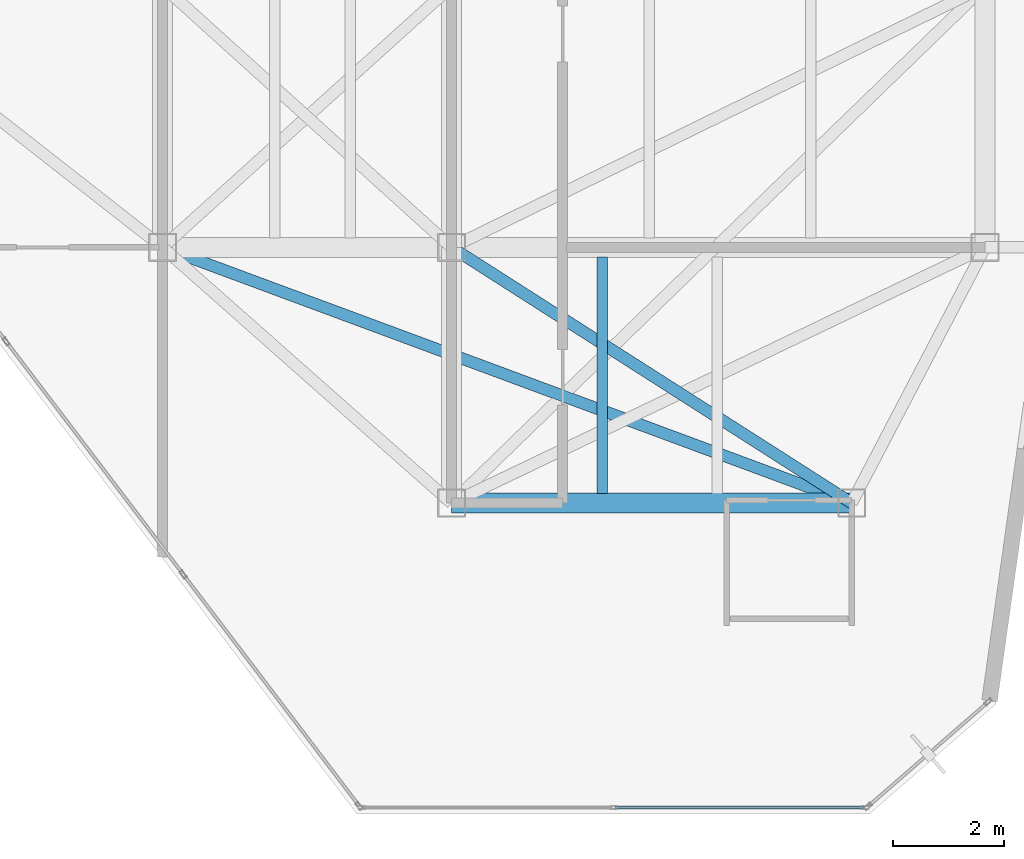
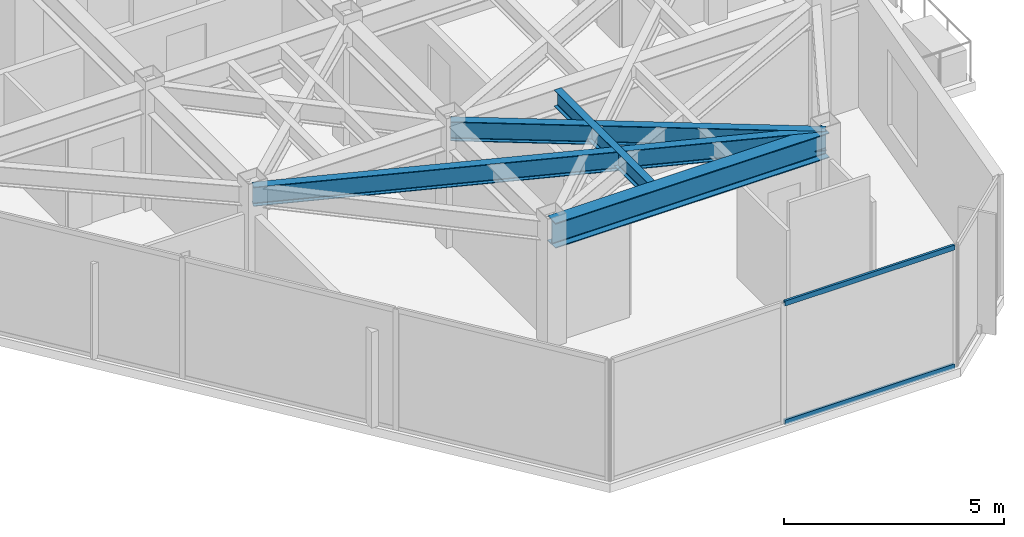
# One storey, part 13 of 20: 4 beams, 2 members, 1 element without a shape of its own.
"""IFC4 building model written with IfcOpenShell, lengths in metres."""

from ifc_helpers import new_model, si_unit, direction, frame, origin, origin_2d, place, context, subcontext, project, spatial, hollow_rectangle, i_section, extrude, material, layer, layer_set, material_profile, profile_set, type_object, element, aggregate, save


model = new_model("IFC4")

# Units and contexts
model_context = context("Model", 3, precision=1e-05, world=origin(), true_north=direction((0.0, 1.0)))
body_context = subcontext(model_context, "Body", "Model", "MODEL_VIEW")
ifc_project = project(units=[si_unit("LENGTHUNIT", "METRE"), si_unit("AREAUNIT", "SQUARE_METRE"), si_unit("VOLUMEUNIT", "CUBIC_METRE"), si_unit("PLANEANGLEUNIT", "RADIAN"), si_unit("MASSUNIT", "GRAM", prefix="KILO")], contexts=[model_context])

# Site, building, storey
site_placement = place(None, origin())
site = spatial("IfcSite", under=ifc_project, at=site_placement, CompositionType="ELEMENT")
building_placement = place(site_placement, origin())
building = spatial("IfcBuilding", under=site, at=building_placement, Name="Kravanh Interchange Tower", CompositionType="ELEMENT")
storey_placement = place(building_placement, frame((0.0, 0.0, 238.199951171875)))
storey = spatial("IfcBuildingStorey", under=building, at=storey_placement, Name="L57", CompositionType="ELEMENT", Elevation=238.199951171875)

# Curtain wall, members
ifc_material_1 = material(Name="Anodised Bronze Aluminium", Category="aluminium")
ifc_layer = layer(ifc_material_1, 0.179931640625)
ifc_layer_set = layer_set([ifc_layer], Name="Unitised Curtain Wall System CW-HTL Luxury Hotel")
curtain_wall_type = type_object("IfcCurtainWallType", Name="Unitised Curtain Wall System CW-HTL Luxury Hotel", PredefinedType="NOTDEFINED", material=ifc_layer_set)
curtain_wall_placement = place(storey_placement, origin())
curtain_wall = element("IfcCurtainWall", 1, at=curtain_wall_placement, inside=storey, type_object=curtain_wall_type, Name="L57 Unitised Curtain Wall CW-L57-03", PredefinedType="NOTDEFINED")
ifc_material_2 = material(Name="Anodised Bronze Aluminium", Category="aluminium")
ifc_material_profile_1 = material_profile(ifc_material_2, hollow_rectangle(XDim=0.06005859375, YDim=0.139892578125, WallThickness=0.00390625, at=origin_2d()), Name="ALU60X140X4")
ifc_profile_set_1 = profile_set([ifc_material_profile_1], Name="Anodised Bronze Aluminium")
member_type = type_object("IfcMemberType", Name="Curtain Wall Transom ALU60X140X4 Bronze", PredefinedType="USERDEFINED", material=ifc_profile_set_1)
member_1_placement = place(storey_placement, frame((63.411865234375, 16.719970703125, 0.030029296875), z_axis=(-1.0, 0.0, 0.0), x_axis=(0.0, -1.0, 0.0)))
member_1 = element("IfcMember", 2, at=member_1_placement, type_object=member_type, Name="CW-HTL transom 1.1", ObjectType="TRANSOM", PredefinedType="USERDEFINED", context=body_context, shape_type="SweptSolid", body=[
    extrude(hollow_rectangle(XDim=0.06005859375, YDim=0.139892578125, WallThickness=0.00390625, at=origin_2d()), origin(), (0.0, 0.0, 1.0), 4.46630859375),
])
member_2_placement = place(storey_placement, frame((63.411865234375, 16.719970703125, 3.330078125), z_axis=(-1.0, 0.0, 0.0), x_axis=(0.0, -1.0, 0.0)))
member_2 = element("IfcMember", 3, at=member_2_placement, type_object=member_type, Name="CW-HTL transom 1.2", ObjectType="TRANSOM", PredefinedType="USERDEFINED", context=body_context, shape_type="SweptSolid", body=[
    extrude(hollow_rectangle(XDim=0.06005859375, YDim=0.139892578125, WallThickness=0.00390625, at=origin_2d()), origin(), (0.0, 0.0, 1.0), 4.46630859375),
])
aggregate(curtain_wall, [member_1, member_2])

# Beams
ifc_material_3 = material(Name="Structural Steel S355", Category="steel")
ifc_material_profile_2 = material_profile(ifc_material_3, i_section(OverallWidth=0.35498046875, OverallDepth=0.696044921875, WebThickness=0.015380859375, FlangeThickness=0.02490234375, FilletRadius=0.02392578125, at=origin_2d()), Name="W27X146")
ifc_profile_set_2 = profile_set([ifc_material_profile_2], Name="Structural Steel S355")
beam_type_1 = type_object("IfcBeamType", Name="Floor Beam W27X146 Structural Steel S355", PredefinedType="BEAM", material=ifc_profile_set_2)
beam_1_placement = place(storey_placement, frame((56.0, 22.199951171875, 3.011962890625), z_axis=(1.0, 0.0, 0.0), x_axis=(0.0, 1.0, 0.0)))
element("IfcBeam", 4, at=beam_1_placement, inside=storey, type_object=beam_type_1, Name="L57 Primary Floor Girder 39", PredefinedType="BEAM", context=body_context, shape_type="SweptSolid", body=[
    extrude(i_section(OverallWidth=0.35498046875, OverallDepth=0.696044921875, WebThickness=0.015380859375, FlangeThickness=0.02490234375, FilletRadius=0.02392578125, at=origin_2d()), origin(), (0.0, 0.0, 1.0), 7.199951171875),
])
ifc_material_4 = material(Name="Structural Steel S355", Category="steel")
ifc_material_profile_3 = material_profile(ifc_material_4, i_section(OverallWidth=0.18994140625, OverallDepth=0.45703125, WebThickness=0.009033203125, FlangeThickness=0.014404296875, FilletRadius=0.01806640625, at=origin_2d()), Name="W18X50")
ifc_profile_set_3 = profile_set([ifc_material_profile_3], Name="Structural Steel S355")
beam_type_2 = type_object("IfcBeamType", Name="Floor Joist W18X50 Structural Steel S355", PredefinedType="JOIST", material=ifc_profile_set_3)
beam_2_placement = place(storey_placement, frame((58.715087890625, 22.37255859375, 3.131591796875), z_axis=(0.0, 1.0, 0.0), x_axis=(-1.0, 0.0, 0.0)))
element("IfcBeam", 5, at=beam_2_placement, inside=storey, type_object=beam_type_2, Name="L57 Secondary Floor Joist 1", PredefinedType="JOIST", context=body_context, shape_type="SweptSolid", body=[
    extrude(i_section(OverallWidth=0.18994140625, OverallDepth=0.45703125, WebThickness=0.009033203125, FlangeThickness=0.014404296875, FilletRadius=0.01806640625, at=origin_2d()), origin(), (0.0, 0.0, 1.0), 4.2548828125),
])
ifc_material_5 = material(Name="Structural Steel S355", Category="steel")
ifc_material_profile_4 = material_profile(ifc_material_5, i_section(OverallWidth=0.2099609375, OverallDepth=0.537109375, WebThickness=0.010986328125, FlangeThickness=0.017333984375, FilletRadius=0.02001953125, at=origin_2d()), Name="W21X68")
ifc_profile_set_4 = profile_set([ifc_material_profile_4], Name="Structural Steel S355")
beam_type_3 = type_object("IfcBeamType", Name="Floor Spandrel W21X68 Structural Steel S355", PredefinedType="SPANDREL", material=ifc_profile_set_4)
beam_3_placement = place(storey_placement, frame((50.800048828125, 26.800048828125, 3.091552734375), z_axis=(0.937562917338, -0.347815721372, 0.0), x_axis=(0.347815721372, 0.937562917338, 0.0)))
element("IfcBeam", 6, at=beam_3_placement, inside=storey, type_object=beam_type_3, Name="L57 Perimeter Spandrel 33", PredefinedType="SPANDREL", context=body_context, shape_type="SweptSolid", body=[
    extrude(i_section(OverallWidth=0.2099609375, OverallDepth=0.537109375, WebThickness=0.010986328125, FlangeThickness=0.017333984375, FilletRadius=0.02001953125, at=origin_2d()), origin(), (0.0, 0.0, 1.0), 13.2255859375),
])
beam_4_placement = place(storey_placement, frame((56.0, 26.800048828125, 3.091552734375), z_axis=(0.842689417531, -0.53839998661, 0.0), x_axis=(0.53839998661, 0.842689417531, 0.0)))
element("IfcBeam", 7, at=beam_4_placement, inside=storey, type_object=beam_type_3, Name="L57 Perimeter Spandrel 35", PredefinedType="SPANDREL", context=body_context, shape_type="SweptSolid", body=[
    extrude(i_section(OverallWidth=0.2099609375, OverallDepth=0.537109375, WebThickness=0.010986328125, FlangeThickness=0.017333984375, FilletRadius=0.02001953125, at=origin_2d()), origin(), (0.0, 0.0, 1.0), 8.5439453125),
])

save(model, "model.ifc")
